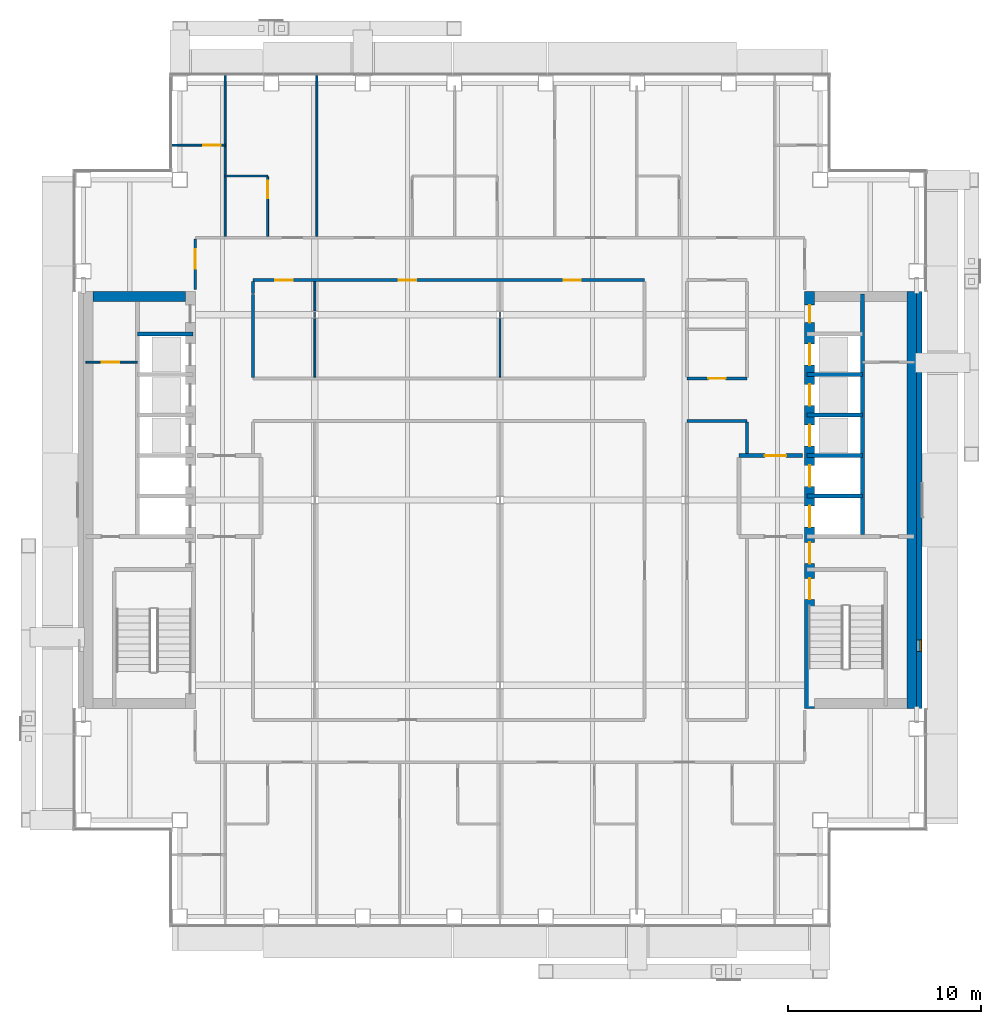
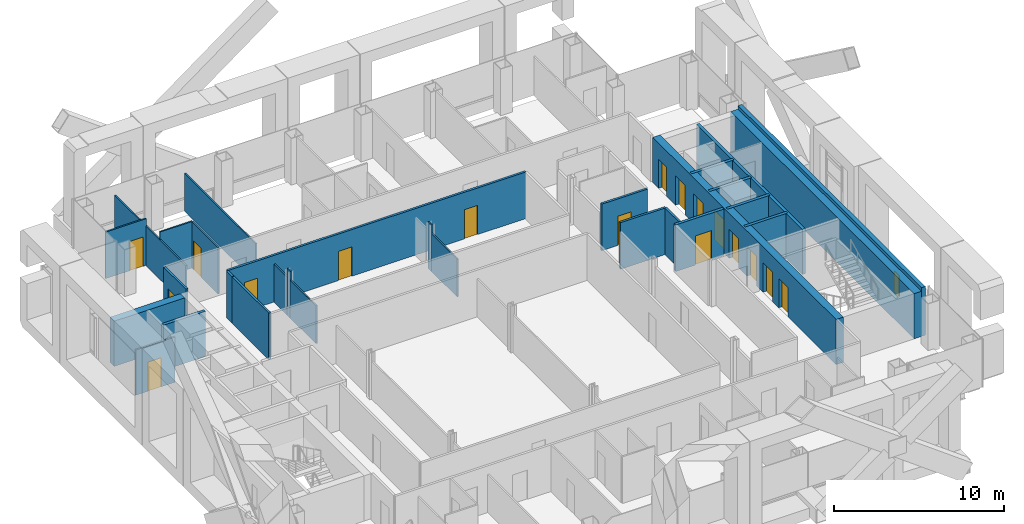
# One storey, part 14 of 22: 29 walls, 17 doors, 1 window, 18 openings.
"""IFC4 building model written with IfcOpenShell, lengths in metres."""

from ifc_helpers import new_model, si_unit, direction, frame, frame_2d, origin, place, context, subcontext, project, spatial, rectangle, extrude, material, layer, layer_set, type_object, element, fill, save


model = new_model("IFC4")

# Units and contexts
model_context = context("Model", 3, precision=1e-05, world=origin(), true_north=direction((0.0, 1.0)))
body_context = subcontext(model_context, "Body", "Model", "MODEL_VIEW")
ifc_project = project(units=[si_unit("LENGTHUNIT", "METRE"), si_unit("AREAUNIT", "SQUARE_METRE"), si_unit("VOLUMEUNIT", "CUBIC_METRE"), si_unit("PLANEANGLEUNIT", "RADIAN"), si_unit("MASSUNIT", "GRAM", prefix="KILO")], contexts=[model_context])

# Site, building, storey
site_placement = place(None, origin())
site = spatial("IfcSite", under=ifc_project, at=site_placement, CompositionType="ELEMENT")
building_placement = place(site_placement, origin())
building = spatial("IfcBuilding", under=site, at=building_placement, Name="Cobrizo Arcos Hotel Tower", CompositionType="ELEMENT")
storey_placement = place(building_placement, frame((0.0, 0.0, 176.0)))
storey = spatial("IfcBuildingStorey", under=building, at=storey_placement, Name="L45", CompositionType="ELEMENT", Elevation=176.0)

# Wall
ifc_material_1 = material(Name="Gypsum board partition")
ifc_layer_1 = layer(ifc_material_1, 0.14990234375)
ifc_layer_set_1 = layer_set([ifc_layer_1], Name="Corridor wall EI 60 150")
wall_type_1 = type_object("IfcWallType", Name="Corridor wall EI 60 150", PredefinedType="PARTITIONING", material=ifc_layer_set_1)
wall_1_placement = place(storey_placement, frame((9.699951171875, 4.10009765625, 0.0), z_axis=(0.0, 0.0, 1.0), x_axis=(1.0, 0.0, 0.0)))
element("IfcWall", 1, at=wall_1_placement, inside=storey, type_object=wall_type_1, Name="Partition 023", PredefinedType="PARTITIONING", context=body_context, shape_type="SweptSolid", body=[
    extrude(rectangle(XDim=3.10009765625, YDim=0.14990234375, at=frame_2d((1.550048828125, 0.0))), origin(), (0.0, 0.0, 1.0), 3.35009765625),
])

# Wall, opening, door
wall_2_placement = place(storey_placement, frame((9.699951171875, 6.300048828125, 0.0), z_axis=(0.0, 0.0, 1.0), x_axis=(1.0, 0.0, 0.0)))
wall_2 = element("IfcWall", 2, at=wall_2_placement, inside=storey, type_object=wall_type_1, Name="Partition 027", PredefinedType="PARTITIONING", context=body_context, shape_type="SweptSolid", body=[
    extrude(rectangle(XDim=3.10009765625, YDim=0.14990234375, at=frame_2d((1.550048828125, 0.0))), origin(), (0.0, 0.0, 1.0), 3.35009765625),
])
opening_1_placement = place(wall_2_placement, frame((1.10009765625, 0.0, 0.0)))
opening_1 = element("IfcOpeningElement", 3, at=opening_1_placement, cuts=wall_2, Name="Opening ED-13", PredefinedType="OPENING", context=body_context, shape_type="SweptSolid", body=[
    extrude(rectangle(XDim=0.89990234375, YDim=2.10009765625, at=frame_2d((0.449951171875, 1.050048828125))), frame((0.0, 0.0869140625, 0.0), z_axis=(0.0, -1.0, 0.0), x_axis=(1.0, 0.0, 0.0)), (0.0, 0.0, 1.0), 0.173828125),
])
ifc_material_2 = material(Name="Timber door leaf", Category="wood")
door_type_1 = type_object("IfcDoorType", Name="En-suite door 900x2100", OperationType="SINGLE_SWING_LEFT", PredefinedType="DOOR", material=ifc_material_2)
door_1_placement = place(opening_1_placement, origin())
door_1 = element("IfcDoor", 4, at=door_1_placement, inside=storey, type_object=door_type_1, Name="Door ED-13", OperationType="SINGLE_SWING_LEFT", OverallHeight=2.10009765625, OverallWidth=0.89990234375, PredefinedType="DOOR", context=body_context, shape_type="SweptSolid", body=[
    extrude(rectangle(XDim=0.89990234375, YDim=2.10009765625, at=frame_2d((0.449951171875, 1.050048828125))), frame((0.0, 0.02490234375, 0.0), z_axis=(0.0, -1.0, 0.0), x_axis=(1.0, 0.0, 0.0)), (0.0, 0.0, 1.0), 0.050048828125),
])
fill(opening_1, door_1)

# Wall, openings, doors
wall_3_placement = place(storey_placement, frame((-12.800048828125, 11.39990234375, 0.0), z_axis=(0.0, 0.0, 1.0), x_axis=(1.0, 0.0, 0.0)))
wall_3 = element("IfcWall", 5, at=wall_3_placement, inside=storey, type_object=wall_type_1, Name="Partition 035", PredefinedType="PARTITIONING", context=body_context, shape_type="SweptSolid", body=[
    extrude(rectangle(XDim=20.300048828125, YDim=0.14990234375, at=frame_2d((10.14990234375, 0.0))), origin(), (0.0, 0.0, 1.0), 3.35009765625),
])
opening_2_placement = place(wall_3_placement, frame((1.14990234375, 0.0, 0.0)))
opening_2 = element("IfcOpeningElement", 6, at=opening_2_placement, cuts=wall_3, Name="Opening RD-09", PredefinedType="OPENING", context=body_context, shape_type="SweptSolid", body=[
    extrude(rectangle(XDim=0.89990234375, YDim=2.10009765625, at=frame_2d((0.449951171875, 1.050048828125))), frame((0.0, 0.0869140625, 0.0), z_axis=(0.0, -1.0, 0.0), x_axis=(1.0, 0.0, 0.0)), (0.0, 0.0, 1.0), 0.173828125),
])
opening_3_placement = place(wall_3_placement, frame((16.10009765625, 0.0, 0.0)))
opening_3 = element("IfcOpeningElement", 7, at=opening_3_placement, cuts=wall_3, Name="Opening RD-10", PredefinedType="OPENING", context=body_context, shape_type="SweptSolid", body=[
    extrude(rectangle(XDim=0.89990234375, YDim=2.10009765625, at=frame_2d((0.449951171875, 1.050048828125))), frame((0.0, 0.0869140625, 0.0), z_axis=(0.0, -1.0, 0.0), x_axis=(1.0, 0.0, 0.0)), (0.0, 0.0, 1.0), 0.173828125),
])
opening_4_placement = place(wall_3_placement, frame((7.550048828125, 0.0, 0.0)))
opening_4 = element("IfcOpeningElement", 8, at=opening_4_placement, cuts=wall_3, Name="Opening RD-13", PredefinedType="OPENING", context=body_context, shape_type="SweptSolid", body=[
    extrude(rectangle(XDim=0.89990234375, YDim=2.10009765625, at=frame_2d((0.449951171875, 1.050048828125))), frame((0.0, 0.0869140625, 0.0), z_axis=(0.0, -1.0, 0.0), x_axis=(1.0, 0.0, 0.0)), (0.0, 0.0, 1.0), 0.173828125),
])
door_type_2 = type_object("IfcDoorType", Name="Room door FD30 900x2100", OperationType="SINGLE_SWING_LEFT", PredefinedType="DOOR", material=ifc_material_2)
door_2_placement = place(opening_2_placement, origin())
door_2 = element("IfcDoor", 9, at=door_2_placement, inside=storey, type_object=door_type_2, Name="Door RD-09", OperationType="SINGLE_SWING_RIGHT", OverallHeight=2.10009765625, OverallWidth=0.89990234375, PredefinedType="DOOR", context=body_context, shape_type="SweptSolid", body=[
    extrude(rectangle(XDim=0.89990234375, YDim=2.10009765625, at=frame_2d((0.449951171875, 1.050048828125))), frame((0.0, 0.02490234375, 0.0), z_axis=(0.0, -1.0, 0.0), x_axis=(1.0, 0.0, 0.0)), (0.0, 0.0, 1.0), 0.050048828125),
])
fill(opening_2, door_2)
door_3_placement = place(opening_3_placement, origin())
door_3 = element("IfcDoor", 10, at=door_3_placement, inside=storey, type_object=door_type_2, Name="Door RD-10", OperationType="SINGLE_SWING_RIGHT", OverallHeight=2.10009765625, OverallWidth=0.89990234375, PredefinedType="DOOR", context=body_context, shape_type="SweptSolid", body=[
    extrude(rectangle(XDim=0.89990234375, YDim=2.10009765625, at=frame_2d((0.449951171875, 1.050048828125))), frame((0.0, 0.02490234375, 0.0), z_axis=(0.0, -1.0, 0.0), x_axis=(1.0, 0.0, 0.0)), (0.0, 0.0, 1.0), 0.050048828125),
])
fill(opening_3, door_3)
door_4_placement = place(opening_4_placement, origin())
door_4 = element("IfcDoor", 11, at=door_4_placement, inside=storey, type_object=door_type_2, Name="Door RD-13", OperationType="SINGLE_SWING_RIGHT", OverallHeight=2.10009765625, OverallWidth=0.89990234375, PredefinedType="DOOR", context=body_context, shape_type="SweptSolid", body=[
    extrude(rectangle(XDim=0.89990234375, YDim=2.10009765625, at=frame_2d((0.449951171875, 1.050048828125))), frame((0.0, 0.02490234375, 0.0), z_axis=(0.0, -1.0, 0.0), x_axis=(1.0, 0.0, 0.0)), (0.0, 0.0, 1.0), 0.050048828125),
])
fill(opening_4, door_4)

# Wall, opening, door
wall_4_placement = place(storey_placement, frame((-15.800048828125, 10.919921875, 0.0), z_axis=(0.0, 0.0, 1.0), x_axis=(0.0, 1.0, 0.0)))
wall_4 = element("IfcWall", 12, at=wall_4_placement, inside=storey, type_object=wall_type_1, Name="Partition 047", PredefinedType="PARTITIONING", context=body_context, shape_type="SweptSolid", body=[
    extrude(rectangle(XDim=2.60498046875, YDim=0.14990234375, at=frame_2d((1.302490234375, 0.0))), origin(), (0.0, 0.0, 1.0), 3.35009765625),
])
opening_5_placement = place(wall_4_placement, frame((1.080078125, 0.0, 0.0)))
opening_5 = element("IfcOpeningElement", 13, at=opening_5_placement, cuts=wall_4, Name="Opening GD-10", PredefinedType="OPENING", context=body_context, shape_type="SweptSolid", body=[
    extrude(rectangle(XDim=1.0, YDim=2.10009765625, at=frame_2d((0.5, 1.050048828125))), frame((0.0, 0.0869140625, 0.0), z_axis=(0.0, -1.0, 0.0), x_axis=(1.0, 0.0, 0.0)), (0.0, 0.0, 1.0), 0.173828125),
])
door_type_3 = type_object("IfcDoorType", Name="Guest room door FD30S 1000x2100", OperationType="SINGLE_SWING_LEFT", PredefinedType="DOOR", material=ifc_material_2)
door_5_placement = place(opening_5_placement, origin())
door_5 = element("IfcDoor", 14, at=door_5_placement, inside=storey, type_object=door_type_3, Name="Door GD-10", OperationType="SINGLE_SWING_RIGHT", OverallHeight=2.10009765625, OverallWidth=1.0, PredefinedType="DOOR", context=body_context, shape_type="SweptSolid", body=[
    extrude(rectangle(XDim=1.0, YDim=2.10009765625, at=frame_2d((0.5, 1.050048828125))), frame((0.0, 0.02490234375, 0.0), z_axis=(0.0, -1.0, 0.0), x_axis=(1.0, 0.0, 0.0)), (0.0, 0.0, 1.0), 0.050048828125),
])
fill(opening_5, door_5)

# Walls
wall_5_placement = place(storey_placement, frame((-12.800048828125, 6.35009765625, 0.0), z_axis=(0.0, 0.0, 1.0), x_axis=(0.0, 1.0, 0.0)))
element("IfcWall", 15, at=wall_5_placement, inside=storey, type_object=wall_type_1, Name="Partition 052", PredefinedType="PARTITIONING", context=body_context, shape_type="SweptSolid", body=[
    extrude(rectangle(XDim=4.2998046875, YDim=0.14990234375, at=frame_2d((2.14990234375, 0.0))), origin(), (0.0, 0.0, 1.0), 3.35009765625),
])
wall_6_placement = place(storey_placement, frame((-12.800048828125, 10.699951171875, 0.0), z_axis=(0.0, 0.0, 1.0), x_axis=(0.0, 1.0, 0.0)))
element("IfcWall", 16, at=wall_6_placement, inside=storey, type_object=wall_type_1, Name="Partition 053", PredefinedType="PARTITIONING", context=body_context, shape_type="SweptSolid", body=[
    extrude(rectangle(XDim=0.625, YDim=0.14990234375, at=frame_2d((0.3125, 0.0))), origin(), (0.0, 0.0, 1.0), 3.35009765625),
])
wall_7_placement = place(storey_placement, frame((12.800048828125, 2.39990234375, 0.0), z_axis=(0.0, 0.0, 1.0), x_axis=(0.0, 1.0, 0.0)))
element("IfcWall", 17, at=wall_7_placement, inside=storey, type_object=wall_type_1, Name="Partition 100", PredefinedType="PARTITIONING", context=body_context, shape_type="SweptSolid", body=[
    extrude(rectangle(XDim=1.650146484375, YDim=0.14990234375, at=frame_2d((0.8251953125, 0.0))), origin(), (0.0, 0.0, 1.0), 3.35009765625),
])

# Wall, opening, window
ifc_material_3 = material(Name="Aluminium composite panel pale metal", Category="aluminium")
ifc_layer_2 = layer(ifc_material_3, 0.27490234375)
ifc_layer_set_2 = layer_set([ifc_layer_2], Name="EW-1 insulated panel wall 275")
wall_type_2 = type_object("IfcWallType", Name="EW-1 insulated panel wall 275", PredefinedType="SOLIDWALL", material=ifc_layer_set_2)
wall_8_placement = place(storey_placement, frame((21.737548828125, -10.800048828125, 0.0), z_axis=(0.0, 0.0, 1.0), x_axis=(0.0, 1.0, 0.0)))
wall_8 = element("IfcWall", 18, at=wall_8_placement, inside=storey, type_object=wall_type_2, Name="Core face wall L45 E", PredefinedType="SOLIDWALL", context=body_context, shape_type="SweptSolid", body=[
    extrude(rectangle(XDim=21.60009765625, YDim=0.27490234375, at=frame_2d((10.800048828125, 0.0))), origin(), (0.0, 0.0, 1.0), 3.5),
])
opening_6_placement = place(wall_8_placement, frame((2.949951171875, 0.0, 1.0)))
opening_6 = element("IfcOpeningElement", 19, at=opening_6_placement, cuts=wall_8, Name="Opening W-97", PredefinedType="OPENING", context=body_context, shape_type="SweptSolid", body=[
    extrude(rectangle(XDim=0.60009765625, YDim=1.5, at=frame_2d((0.300048828125, 0.75))), frame((0.0, 0.1494140625, 0.0), z_axis=(0.0, -1.0, 0.0), x_axis=(1.0, 0.0, 0.0)), (0.0, 0.0, 1.0), 0.298828125),
])
ifc_material_4 = material(Name="Aluminium 6063-T6 and clear laminated glass", Category="aluminium")
window_type = type_object("IfcWindowType", Name="W-C1 core stair slot window 600x1500", PartitioningType="SINGLE_PANEL", PredefinedType="WINDOW", material=ifc_material_4)
window_placement = place(opening_6_placement, origin())
window = element("IfcWindow", 20, at=window_placement, inside=storey, type_object=window_type, Name="Core face wall L45 E window W-97", OverallHeight=1.5, OverallWidth=0.60009765625, PartitioningType="SINGLE_PANEL", PredefinedType="WINDOW", context=body_context, shape_type="SweptSolid", body=[
    extrude(rectangle(XDim=0.60009765625, YDim=1.5, at=frame_2d((0.300048828125, 0.75))), frame((0.0, -0.04736328125, 0.0), z_axis=(0.0, -1.0, 0.0), x_axis=(1.0, 0.0, 0.0)), (0.0, 0.0, 1.0), 0.06005859375),
])
fill(opening_6, window)

# Wall, opening, door
ifc_layer_3 = layer(ifc_material_1, 0.10009765625)
ifc_layer_set_3 = layer_set([ifc_layer_3], Name="Partition EI 30 100")
wall_type_3 = type_object("IfcWallType", Name="Partition EI 30 100", PredefinedType="PARTITIONING", material=ifc_layer_set_3)
wall_9_placement = place(storey_placement, frame((-21.47998046875, 7.14990234375, 0.0), z_axis=(0.0, 0.0, 1.0), x_axis=(1.0, 0.0, 0.0)))
wall_9 = element("IfcWall", 21, at=wall_9_placement, inside=storey, type_object=wall_type_3, Name="Partition 030", PredefinedType="PARTITIONING", context=body_context, shape_type="SweptSolid", body=[
    extrude(rectangle(XDim=2.679931640625, YDim=0.10009765625, at=frame_2d((1.33984375, 0.0))), origin(), (0.0, 0.0, 1.0), 3.25),
])
opening_7_placement = place(wall_9_placement, frame((0.830078125, 0.0, 0.0)))
opening_7 = element("IfcOpeningElement", 22, at=opening_7_placement, cuts=wall_9, Name="Opening RD-03", PredefinedType="OPENING", context=body_context, shape_type="SweptSolid", body=[
    extrude(rectangle(XDim=0.89990234375, YDim=2.10009765625, at=frame_2d((0.449951171875, 1.050048828125))), frame((0.0, 0.06201171875, 0.0), z_axis=(0.0, -1.0, 0.0), x_axis=(1.0, 0.0, 0.0)), (0.0, 0.0, 1.0), 0.1240234375),
])
door_6_placement = place(opening_7_placement, origin())
door_6 = element("IfcDoor", 23, at=door_6_placement, inside=storey, type_object=door_type_2, Name="Door RD-03", OperationType="SINGLE_SWING_RIGHT", OverallHeight=2.10009765625, OverallWidth=0.89990234375, PredefinedType="DOOR", context=body_context, shape_type="SweptSolid", body=[
    extrude(rectangle(XDim=0.89990234375, YDim=2.10009765625, at=frame_2d((0.449951171875, 1.050048828125))), frame((0.0, 0.02490234375, 0.0), z_axis=(0.0, -1.0, 0.0), x_axis=(1.0, 0.0, 0.0)), (0.0, 0.0, 1.0), 0.050048828125),
])
fill(opening_7, door_6)

# Wall
wall_10_placement = place(storey_placement, frame((-14.25, 16.800048828125, 0.0), z_axis=(0.0, 0.0, 1.0), x_axis=(1.0, 0.0, 0.0)))
element("IfcWall", 24, at=wall_10_placement, inside=storey, type_object=wall_type_3, Name="Partition 038", PredefinedType="PARTITIONING", context=body_context, shape_type="SweptSolid", body=[
    extrude(rectangle(XDim=2.199951171875, YDim=0.10009765625, at=frame_2d((1.10009765625, 0.0))), origin(), (0.0, 0.0, 1.0), 3.35009765625),
])

# Wall, opening, door
wall_11_placement = place(storey_placement, frame((-17.030029296875, 18.39990234375, 0.0), z_axis=(0.0, 0.0, 1.0), x_axis=(1.0, 0.0, 0.0)))
wall_11 = element("IfcWall", 25, at=wall_11_placement, inside=storey, type_object=wall_type_3, Name="Partition 041", PredefinedType="PARTITIONING", context=body_context, shape_type="SweptSolid", body=[
    extrude(rectangle(XDim=2.780029296875, YDim=0.10009765625, at=frame_2d((1.39013671875, 0.0))), origin(), (0.0, 0.0, 1.0), 3.35009765625),
])
opening_8_placement = place(wall_11_placement, frame((1.639892578125, 0.0, 0.0)))
opening_8 = element("IfcOpeningElement", 26, at=opening_8_placement, cuts=wall_11, Name="Opening ED-10", PredefinedType="OPENING", context=body_context, shape_type="SweptSolid", body=[
    extrude(rectangle(XDim=0.89990234375, YDim=2.10009765625, at=frame_2d((0.449951171875, 1.050048828125))), frame((0.0, 0.06201171875, 0.0), z_axis=(0.0, -1.0, 0.0), x_axis=(1.0, 0.0, 0.0)), (0.0, 0.0, 1.0), 0.1240234375),
])
door_7_placement = place(opening_8_placement, origin())
door_7 = element("IfcDoor", 27, at=door_7_placement, inside=storey, type_object=door_type_1, Name="Door ED-10", OperationType="SINGLE_SWING_RIGHT", OverallHeight=2.10009765625, OverallWidth=0.89990234375, PredefinedType="DOOR", context=body_context, shape_type="SweptSolid", body=[
    extrude(rectangle(XDim=0.89990234375, YDim=2.10009765625, at=frame_2d((0.449951171875, 1.050048828125))), frame((0.0, 0.02490234375, 0.0), z_axis=(0.0, -1.0, 0.0), x_axis=(1.0, 0.0, 0.0)), (0.0, 0.0, 1.0), 0.050048828125),
])
fill(opening_8, door_7)

# Wall
wall_12_placement = place(storey_placement, frame((-14.25, 13.675048828125, 0.0), z_axis=(0.0, 0.0, 1.0), x_axis=(0.0, 1.0, 0.0)))
element("IfcWall", 28, at=wall_12_placement, inside=storey, type_object=wall_type_3, Name="Partition 049", PredefinedType="PARTITIONING", context=body_context, shape_type="SweptSolid", body=[
    extrude(rectangle(XDim=8.35498046875, YDim=0.10009765625, at=frame_2d((4.177490234375, 0.0))), origin(), (0.0, 0.0, 1.0), 2.81689453125),
])

# Wall, opening, door
wall_13_placement = place(storey_placement, frame((-12.050048828125, 13.675048828125, 0.0), z_axis=(0.0, 0.0, 1.0), x_axis=(0.0, 1.0, 0.0)))
wall_13 = element("IfcWall", 29, at=wall_13_placement, inside=storey, type_object=wall_type_3, Name="Partition 056", PredefinedType="PARTITIONING", context=body_context, shape_type="SweptSolid", body=[
    extrude(rectangle(XDim=3.074951171875, YDim=0.10009765625, at=frame_2d((1.53759765625, 0.0))), origin(), (0.0, 0.0, 1.0), 3.35009765625),
])
opening_9_placement = place(wall_13_placement, frame((1.970947265625, 0.0, 0.0)))
opening_9 = element("IfcOpeningElement", 30, at=opening_9_placement, cuts=wall_13, Name="Opening ED-01", PredefinedType="OPENING", context=body_context, shape_type="SweptSolid", body=[
    extrude(rectangle(XDim=0.89990234375, YDim=2.10009765625, at=frame_2d((0.449951171875, 1.050048828125))), frame((0.0, 0.06201171875, 0.0), z_axis=(0.0, -1.0, 0.0), x_axis=(1.0, 0.0, 0.0)), (0.0, 0.0, 1.0), 0.1240234375),
])
door_8_placement = place(opening_9_placement, origin())
door_8 = element("IfcDoor", 31, at=door_8_placement, inside=storey, type_object=door_type_1, Name="Door ED-01", OperationType="SINGLE_SWING_RIGHT", OverallHeight=2.10009765625, OverallWidth=0.89990234375, PredefinedType="DOOR", context=body_context, shape_type="SweptSolid", body=[
    extrude(rectangle(XDim=0.89990234375, YDim=2.10009765625, at=frame_2d((0.449951171875, 1.050048828125))), frame((0.0, 0.02490234375, 0.0), z_axis=(0.0, -1.0, 0.0), x_axis=(1.0, 0.0, 0.0)), (0.0, 0.0, 1.0), 0.050048828125),
])
fill(opening_9, door_8)

# Walls
wall_14_placement = place(storey_placement, frame((-9.60009765625, 6.375, 0.0), z_axis=(0.0, 0.0, 1.0), x_axis=(0.0, 1.0, 0.0)))
element("IfcWall", 32, at=wall_14_placement, inside=storey, type_object=wall_type_3, Name="Partition 062", PredefinedType="PARTITIONING", context=body_context, shape_type="SweptSolid", body=[
    extrude(rectangle(XDim=3.0380859375, YDim=0.10009765625, at=frame_2d((1.51904296875, 0.0))), origin(), (0.0, 0.0, 1.0), 2.72802734375),
])
wall_15_placement = place(storey_placement, frame((-9.60009765625, 9.4130859375, 0.0), z_axis=(0.0, 0.0, 1.0), x_axis=(0.0, 1.0, 0.0)))
element("IfcWall", 33, at=wall_15_placement, inside=storey, type_object=wall_type_3, Name="Partition 063", PredefinedType="PARTITIONING", context=body_context, shape_type="SweptSolid", body=[
    extrude(rectangle(XDim=0.3740234375, YDim=0.10009765625, at=frame_2d((0.18701171875, 0.0))), origin(), (0.0, 0.0, 1.0), 3.35009765625),
])
wall_16_placement = place(storey_placement, frame((-9.60009765625, 9.787109375, 0.0), z_axis=(0.0, 0.0, 1.0), x_axis=(0.0, 1.0, 0.0)))
element("IfcWall", 34, at=wall_16_placement, inside=storey, type_object=wall_type_3, Name="Partition 064", PredefinedType="PARTITIONING", context=body_context, shape_type="SweptSolid", body=[
    extrude(rectangle(XDim=1.537841796875, YDim=0.10009765625, at=frame_2d((0.76904296875, 0.0))), origin(), (0.0, 0.0, 1.0), 2.72802734375),
])
wall_17_placement = place(storey_placement, frame((-9.5, 13.675048828125, 0.0), z_axis=(0.0, 0.0, 1.0), x_axis=(0.0, 1.0, 0.0)))
element("IfcWall", 35, at=wall_17_placement, inside=storey, type_object=wall_type_3, Name="Partition 066", PredefinedType="PARTITIONING", context=body_context, shape_type="SweptSolid", body=[
    extrude(rectangle(XDim=8.35498046875, YDim=0.10009765625, at=frame_2d((4.177490234375, 0.0))), origin(), (0.0, 0.0, 1.0), 2.72802734375),
])
wall_18_placement = place(storey_placement, frame((0.0, 6.375, 0.0), z_axis=(0.0, 0.0, 1.0), x_axis=(0.0, 1.0, 0.0)))
element("IfcWall", 36, at=wall_18_placement, inside=storey, type_object=wall_type_3, Name="Partition 079", PredefinedType="PARTITIONING", context=body_context, shape_type="SweptSolid", body=[
    extrude(rectangle(XDim=3.0380859375, YDim=0.10009765625, at=frame_2d((1.51904296875, 0.0))), origin(), (0.0, 0.0, 1.0), 2.72802734375),
])
wall_19_placement = place(storey_placement, frame((0.0, 9.4130859375, 0.0), z_axis=(0.0, 0.0, 1.0), x_axis=(0.0, 1.0, 0.0)))
element("IfcWall", 37, at=wall_19_placement, inside=storey, type_object=wall_type_3, Name="Partition 080", PredefinedType="PARTITIONING", context=body_context, shape_type="SweptSolid", body=[
    extrude(rectangle(XDim=0.3740234375, YDim=0.10009765625, at=frame_2d((0.18701171875, 0.0))), origin(), (0.0, 0.0, 1.0), 3.35009765625),
])

# Wall, openings, doors
ifc_material_5 = material(Name="Concrete f'c 50 MPa", Category="concrete")
ifc_layer_4 = layer(ifc_material_5, 0.5)
ifc_layer_set_4 = layer_set([ifc_layer_4], Name="RC core wall 500 f'c 50")
wall_type_4 = type_object("IfcWallType", Name="RC core wall 500 f'c 50", PredefinedType="SHEAR", material=ifc_layer_set_4)
wall_20_placement = place(storey_placement, frame((16.050048828125, -10.800048828125, 0.0), z_axis=(0.0, 0.0, 1.0), x_axis=(0.0, 1.0, 0.0)))
wall_20 = element("IfcWall", 38, at=wall_20_placement, inside=storey, type_object=wall_type_4, Name="Core wall CW3, east core, inner face, L45", PredefinedType="SHEAR", context=body_context, shape_type="SweptSolid", body=[
    extrude(rectangle(XDim=21.60009765625, YDim=0.5, at=frame_2d((10.800048828125, 0.0))), origin(), (0.0, 0.0, 1.0), 3.25),
])
opening_10_placement = place(wall_20_placement, frame((9.39990234375, 0.0, 0.0)))
opening_10 = element("IfcOpeningElement", 39, at=opening_10_placement, cuts=wall_20, Name="Opening LD-06", PredefinedType="OPENING", context=body_context, shape_type="SweptSolid", body=[
    extrude(rectangle(XDim=1.10009765625, YDim=2.10009765625, at=frame_2d((0.550048828125, 1.050048828125))), frame((0.0, 0.261962890625, 0.0), z_axis=(0.0, -1.0, 0.0), x_axis=(1.0, 0.0, 0.0)), (0.0, 0.0, 1.0), 0.52392578125),
])
opening_11_placement = place(wall_20_placement, frame((11.5, 0.0, 0.0)))
opening_11 = element("IfcOpeningElement", 40, at=opening_11_placement, cuts=wall_20, Name="Opening LD-07", PredefinedType="OPENING", context=body_context, shape_type="SweptSolid", body=[
    extrude(rectangle(XDim=1.10009765625, YDim=2.10009765625, at=frame_2d((0.550048828125, 1.050048828125))), frame((0.0, 0.261962890625, 0.0), z_axis=(0.0, -1.0, 0.0), x_axis=(1.0, 0.0, 0.0)), (0.0, 0.0, 1.0), 0.52392578125),
])
opening_12_placement = place(wall_20_placement, frame((13.60009765625, 0.0, 0.0)))
opening_12 = element("IfcOpeningElement", 41, at=opening_12_placement, cuts=wall_20, Name="Opening LD-08", PredefinedType="OPENING", context=body_context, shape_type="SweptSolid", body=[
    extrude(rectangle(XDim=1.10009765625, YDim=2.10009765625, at=frame_2d((0.550048828125, 1.050048828125))), frame((0.0, 0.261962890625, 0.0), z_axis=(0.0, -1.0, 0.0), x_axis=(1.0, 0.0, 0.0)), (0.0, 0.0, 1.0), 0.52392578125),
])
opening_13_placement = place(wall_20_placement, frame((15.699951171875, 0.0, 0.0)))
opening_13 = element("IfcOpeningElement", 42, at=opening_13_placement, cuts=wall_20, Name="Opening LD-09", PredefinedType="OPENING", context=body_context, shape_type="SweptSolid", body=[
    extrude(rectangle(XDim=1.10009765625, YDim=2.10009765625, at=frame_2d((0.550048828125, 1.050048828125))), frame((0.0, 0.261962890625, 0.0), z_axis=(0.0, -1.0, 0.0), x_axis=(1.0, 0.0, 0.0)), (0.0, 0.0, 1.0), 0.52392578125),
])
opening_14_placement = place(wall_20_placement, frame((17.800048828125, 0.0, 0.0)))
opening_14 = element("IfcOpeningElement", 43, at=opening_14_placement, cuts=wall_20, Name="Opening LD-10", PredefinedType="OPENING", context=body_context, shape_type="SweptSolid", body=[
    extrude(rectangle(XDim=1.10009765625, YDim=2.10009765625, at=frame_2d((0.550048828125, 1.050048828125))), frame((0.0, 0.261962890625, 0.0), z_axis=(0.0, -1.0, 0.0), x_axis=(1.0, 0.0, 0.0)), (0.0, 0.0, 1.0), 0.52392578125),
])
opening_15_placement = place(wall_20_placement, frame((5.64208984375, 0.0, 0.0)))
opening_15 = element("IfcOpeningElement", 44, at=opening_15_placement, cuts=wall_20, Name="Opening SD-02", PredefinedType="OPENING", context=body_context, shape_type="SweptSolid", body=[
    extrude(rectangle(XDim=1.10009765625, YDim=2.10009765625, at=frame_2d((0.550048828125, 1.050048828125))), frame((0.0, 0.261962890625, 0.0), z_axis=(0.0, -1.0, 0.0), x_axis=(1.0, 0.0, 0.0)), (0.0, 0.0, 1.0), 0.52392578125),
])
opening_16_placement = place(wall_20_placement, frame((7.5, 0.0, 0.0)))
opening_16 = element("IfcOpeningElement", 45, at=opening_16_placement, cuts=wall_20, Name="Opening FD-04", PredefinedType="OPENING", context=body_context, shape_type="SweptSolid", body=[
    extrude(rectangle(XDim=1.10009765625, YDim=2.10009765625, at=frame_2d((0.550048828125, 1.050048828125))), frame((0.0, 0.261962890625, 0.0), z_axis=(0.0, -1.0, 0.0), x_axis=(1.0, 0.0, 0.0)), (0.0, 0.0, 1.0), 0.52392578125),
])
opening_17_placement = place(wall_20_placement, frame((20.0, 0.0, 0.0)))
opening_17 = element("IfcOpeningElement", 46, at=opening_17_placement, cuts=wall_20, Name="Opening RD-04", PredefinedType="OPENING", context=body_context, shape_type="SweptSolid", body=[
    extrude(rectangle(XDim=0.89990234375, YDim=2.10009765625, at=frame_2d((0.449951171875, 1.050048828125))), frame((0.0, 0.261962890625, 0.0), z_axis=(0.0, -1.0, 0.0), x_axis=(1.0, 0.0, 0.0)), (0.0, 0.0, 1.0), 0.52392578125),
])
ifc_material_6 = material(Name="Steel door leaf", Category="steel")
door_type_4 = type_object("IfcDoorType", Name="Fire door FD60 1100x2100", OperationType="SINGLE_SWING_LEFT", PredefinedType="DOOR", material=ifc_material_6)
door_9_placement = place(opening_16_placement, origin())
door_9 = element("IfcDoor", 47, at=door_9_placement, inside=storey, type_object=door_type_4, Name="Door FD-04", OperationType="SINGLE_SWING_LEFT", OverallHeight=2.10009765625, OverallWidth=1.10009765625, PredefinedType="DOOR", context=body_context, shape_type="SweptSolid", body=[
    extrude(rectangle(XDim=1.10009765625, YDim=2.10009765625, at=frame_2d((0.550048828125, 1.050048828125))), frame((0.0, 0.02490234375, 0.0), z_axis=(0.0, -1.0, 0.0), x_axis=(1.0, 0.0, 0.0)), (0.0, 0.0, 1.0), 0.050048828125),
])
fill(opening_16, door_9)
door_type_5 = type_object("IfcDoorType", Name="Lift landing door 1100x2100", OperationType="SLIDING_TO_LEFT", PredefinedType="DOOR", material=ifc_material_6)
door_10_placement = place(opening_10_placement, origin())
door_10 = element("IfcDoor", 48, at=door_10_placement, inside=storey, type_object=door_type_5, Name="Lift landing door LD-06", OperationType="SLIDING_TO_LEFT", OverallHeight=2.10009765625, OverallWidth=1.10009765625, PredefinedType="DOOR", context=body_context, shape_type="SweptSolid", body=[
    extrude(rectangle(XDim=1.10009765625, YDim=2.10009765625, at=frame_2d((0.550048828125, 1.050048828125))), frame((0.0, 0.02490234375, 0.0), z_axis=(0.0, -1.0, 0.0), x_axis=(1.0, 0.0, 0.0)), (0.0, 0.0, 1.0), 0.050048828125),
])
fill(opening_10, door_10)
door_11_placement = place(opening_11_placement, origin())
door_11 = element("IfcDoor", 49, at=door_11_placement, inside=storey, type_object=door_type_5, Name="Lift landing door LD-07", OperationType="SLIDING_TO_LEFT", OverallHeight=2.10009765625, OverallWidth=1.10009765625, PredefinedType="DOOR", context=body_context, shape_type="SweptSolid", body=[
    extrude(rectangle(XDim=1.10009765625, YDim=2.10009765625, at=frame_2d((0.550048828125, 1.050048828125))), frame((0.0, 0.02490234375, 0.0), z_axis=(0.0, -1.0, 0.0), x_axis=(1.0, 0.0, 0.0)), (0.0, 0.0, 1.0), 0.050048828125),
])
fill(opening_11, door_11)
door_12_placement = place(opening_12_placement, origin())
door_12 = element("IfcDoor", 50, at=door_12_placement, inside=storey, type_object=door_type_5, Name="Lift landing door LD-08", OperationType="SLIDING_TO_LEFT", OverallHeight=2.10009765625, OverallWidth=1.10009765625, PredefinedType="DOOR", context=body_context, shape_type="SweptSolid", body=[
    extrude(rectangle(XDim=1.10009765625, YDim=2.10009765625, at=frame_2d((0.550048828125, 1.050048828125))), frame((0.0, 0.02490234375, 0.0), z_axis=(0.0, -1.0, 0.0), x_axis=(1.0, 0.0, 0.0)), (0.0, 0.0, 1.0), 0.050048828125),
])
fill(opening_12, door_12)
door_13_placement = place(opening_13_placement, origin())
door_13 = element("IfcDoor", 51, at=door_13_placement, inside=storey, type_object=door_type_5, Name="Lift landing door LD-09", OperationType="SLIDING_TO_LEFT", OverallHeight=2.10009765625, OverallWidth=1.10009765625, PredefinedType="DOOR", context=body_context, shape_type="SweptSolid", body=[
    extrude(rectangle(XDim=1.10009765625, YDim=2.10009765625, at=frame_2d((0.550048828125, 1.050048828125))), frame((0.0, 0.02490234375, 0.0), z_axis=(0.0, -1.0, 0.0), x_axis=(1.0, 0.0, 0.0)), (0.0, 0.0, 1.0), 0.050048828125),
])
fill(opening_13, door_13)
door_14_placement = place(opening_14_placement, origin())
door_14 = element("IfcDoor", 52, at=door_14_placement, inside=storey, type_object=door_type_5, Name="Lift landing door LD-10", OperationType="SLIDING_TO_LEFT", OverallHeight=2.10009765625, OverallWidth=1.10009765625, PredefinedType="DOOR", context=body_context, shape_type="SweptSolid", body=[
    extrude(rectangle(XDim=1.10009765625, YDim=2.10009765625, at=frame_2d((0.550048828125, 1.050048828125))), frame((0.0, 0.02490234375, 0.0), z_axis=(0.0, -1.0, 0.0), x_axis=(1.0, 0.0, 0.0)), (0.0, 0.0, 1.0), 0.050048828125),
])
fill(opening_14, door_14)
door_15_placement = place(opening_17_placement, origin())
door_15 = element("IfcDoor", 53, at=door_15_placement, inside=storey, type_object=door_type_2, Name="Door RD-04", OperationType="SINGLE_SWING_LEFT", OverallHeight=2.10009765625, OverallWidth=0.89990234375, PredefinedType="DOOR", context=body_context, shape_type="SweptSolid", body=[
    extrude(rectangle(XDim=0.89990234375, YDim=2.10009765625, at=frame_2d((0.449951171875, 1.050048828125))), frame((0.0, 0.02490234375, 0.0), z_axis=(0.0, -1.0, 0.0), x_axis=(1.0, 0.0, 0.0)), (0.0, 0.0, 1.0), 0.050048828125),
])
fill(opening_17, door_15)
door_type_6 = type_object("IfcDoorType", Name="Stair door FD60S 1100x2100", OperationType="SINGLE_SWING_LEFT", PredefinedType="DOOR", material=ifc_material_6)
door_16_placement = place(opening_15_placement, origin())
door_16 = element("IfcDoor", 54, at=door_16_placement, inside=storey, type_object=door_type_6, Name="Door SD-02", OperationType="SINGLE_SWING_RIGHT", OverallHeight=2.10009765625, OverallWidth=1.10009765625, PredefinedType="DOOR", context=body_context, shape_type="SweptSolid", body=[
    extrude(rectangle(XDim=1.10009765625, YDim=2.10009765625, at=frame_2d((0.550048828125, 1.050048828125))), frame((0.0, 0.02490234375, 0.0), z_axis=(0.0, -1.0, 0.0), x_axis=(1.0, 0.0, 0.0)), (0.0, 0.0, 1.0), 0.050048828125),
])
fill(opening_15, door_16)

# Walls
wall_21_placement = place(storey_placement, frame((21.35009765625, -10.800048828125, 0.0), z_axis=(0.0, 0.0, 1.0), x_axis=(0.0, 1.0, 0.0)))
element("IfcWall", 55, at=wall_21_placement, inside=storey, type_object=wall_type_4, Name="Core wall CW3, east core, outer face, L45", PredefinedType="SHEAR", context=body_context, shape_type="SweptSolid", body=[
    extrude(rectangle(XDim=21.60009765625, YDim=0.5, at=frame_2d((10.800048828125, 0.0))), origin(), (0.0, 0.0, 1.0), 3.25),
])
wall_22_placement = place(storey_placement, frame((-21.10009765625, 10.550048828125, 0.0), z_axis=(0.0, 0.0, 1.0), x_axis=(1.0, 0.0, 0.0)))
element("IfcWall", 56, at=wall_22_placement, inside=storey, type_object=wall_type_4, Name="Core wall CW3, west core, north end, L45", PredefinedType="SHEAR", context=body_context, shape_type="SweptSolid", body=[
    extrude(rectangle(XDim=4.800048828125, YDim=0.5, at=frame_2d((2.39990234375, 0.0))), origin(), (0.0, 0.0, 1.0), 3.25),
])
ifc_layer_5 = layer(ifc_material_1, 0.199951171875)
ifc_layer_set_5 = layer_set([ifc_layer_5], Name="Shaft wall EI 120 200")
wall_type_5 = type_object("IfcWallType", Name="Shaft wall EI 120 200", PredefinedType="PARTITIONING", material=ifc_layer_set_5)
wall_23_placement = place(storey_placement, frame((15.919921875, 0.199951171875, 0.0), z_axis=(0.0, 0.0, 1.0), x_axis=(1.0, 0.0, 0.0)))
element("IfcWall", 57, at=wall_23_placement, inside=storey, type_object=wall_type_5, Name="Partition 017", PredefinedType="PARTITIONING", context=body_context, shape_type="SweptSolid", body=[
    extrude(rectangle(XDim=2.880126953125, YDim=0.199951171875, at=frame_2d((1.43994140625, 0.0))), origin(), (0.0, 0.0, 1.0), 3.25),
])

# Wall, opening, door
wall_24_placement = place(storey_placement, frame((12.39990234375, 2.300048828125, 0.0), z_axis=(0.0, 0.0, 1.0), x_axis=(1.0, 0.0, 0.0)))
wall_24 = element("IfcWall", 58, at=wall_24_placement, inside=storey, type_object=wall_type_5, Name="Partition 020", PredefinedType="PARTITIONING", context=body_context, shape_type="SweptSolid", body=[
    extrude(rectangle(XDim=3.280029296875, YDim=0.199951171875, at=frame_2d((1.64013671875, 0.0))), origin(), (0.0, 0.0, 1.0), 3.35009765625),
])
opening_18_placement = place(wall_24_placement, frame((1.340087890625, 0.0, 0.0)))
opening_18 = element("IfcOpeningElement", 59, at=opening_18_placement, cuts=wall_24, Name="Opening FD-05", PredefinedType="OPENING", context=body_context, shape_type="SweptSolid", body=[
    extrude(rectangle(XDim=1.10009765625, YDim=2.10009765625, at=frame_2d((0.550048828125, 1.050048828125))), frame((0.0, 0.112060546875, 0.0), z_axis=(0.0, -1.0, 0.0), x_axis=(1.0, 0.0, 0.0)), (0.0, 0.0, 1.0), 0.223876953125),
])
door_17_placement = place(opening_18_placement, origin())
door_17 = element("IfcDoor", 60, at=door_17_placement, inside=storey, type_object=door_type_4, Name="Door FD-05", OperationType="SINGLE_SWING_LEFT", OverallHeight=2.10009765625, OverallWidth=1.10009765625, PredefinedType="DOOR", context=body_context, shape_type="SweptSolid", body=[
    extrude(rectangle(XDim=1.10009765625, YDim=2.10009765625, at=frame_2d((0.550048828125, 1.050048828125))), frame((0.0, 0.02490234375, 0.0), z_axis=(0.0, -1.0, 0.0), x_axis=(1.0, 0.0, 0.0)), (0.0, 0.0, 1.0), 0.050048828125),
])
fill(opening_18, door_17)

# Walls
for number, where, z_axis, x_axis, name in (
    (61, (15.919921875, 2.300048828125, 0.0), (0.0, 0.0, 1.0), (1.0, 0.0, 0.0), "Partition 021"),
    (62, (15.919921875, 4.39990234375, 0.0), (0.0, 0.0, 1.0), (1.0, 0.0, 0.0), "Partition 025"),
    (63, (15.919921875, 6.5, 0.0), (0.0, 0.0, 1.0), (1.0, 0.0, 0.0), "Partition 029"),
    (64, (-18.800048828125, 8.60009765625, 0.0), (0.0, 0.0, 1.0), (1.0, 0.0, 0.0), "Partition 032"),
):
    element("IfcWall", number, at=place(storey_placement, frame(where, z_axis=z_axis, x_axis=x_axis)), inside=storey, type_object=wall_type_5, Name=name, PredefinedType="PARTITIONING", context=body_context, shape_type="SweptSolid", body=[
        extrude(rectangle(XDim=2.880126953125, YDim=0.199951171875, at=frame_2d((1.43994140625, 0.0))), origin(), (0.0, 0.0, 1.0), 3.25),
    ])
wall_25_placement = place(storey_placement, frame((18.800048828125, -1.800048828125, 0.0), z_axis=(0.0, 0.0, 1.0), x_axis=(0.0, 1.0, 0.0)))
element("IfcWall", 65, at=wall_25_placement, inside=storey, type_object=wall_type_5, Name="Partition 107", PredefinedType="PARTITIONING", context=body_context, shape_type="SweptSolid", body=[
    extrude(rectangle(XDim=12.47998046875, YDim=0.199951171875, at=frame_2d((6.239990234375, 0.0))), origin(), (0.0, 0.0, 1.0), 3.25),
])

save(model, "model.ifc")
